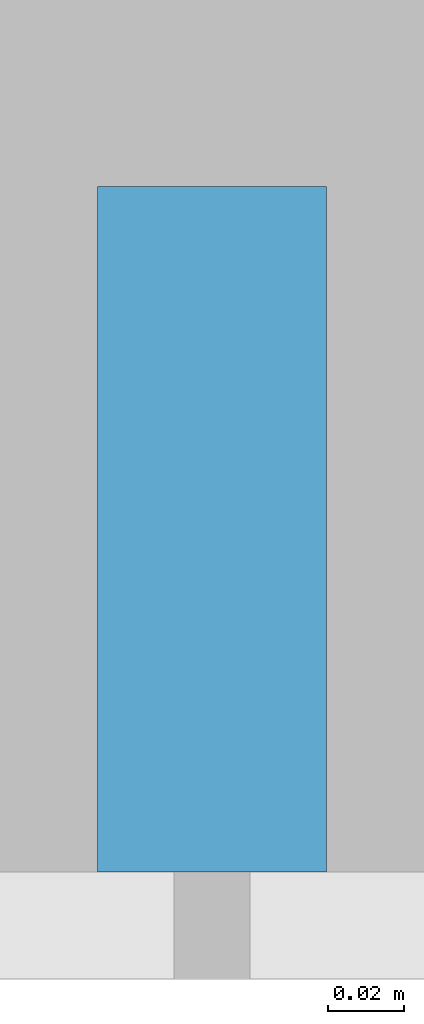
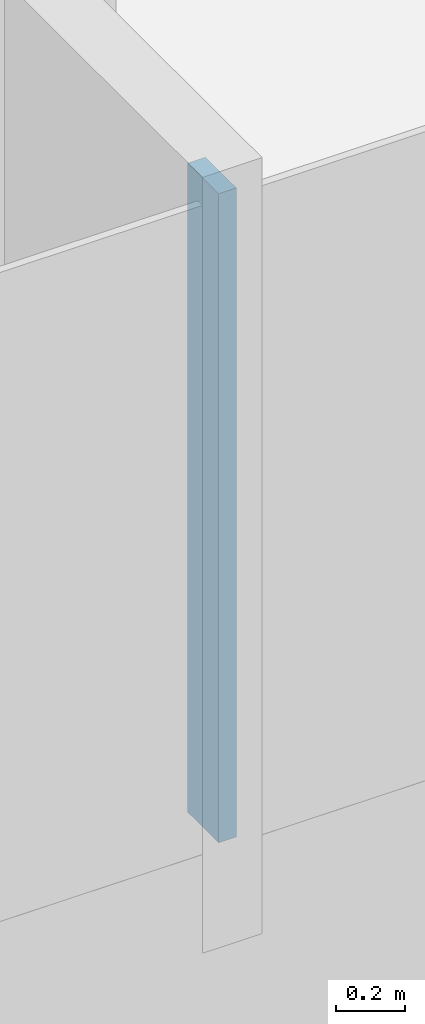
# One storey, part 5 of 26: 1 member, 1 element without a shape of its own.
"""IFC4 building model written with IfcOpenShell, lengths in metres."""

from ifc_helpers import new_model, si_unit, direction, frame, origin, origin_2d, place, context, subcontext, project, spatial, rectangle, extrude, material, layer, layer_set, material_profile, profile_set, type_object, element, aggregate, save


model = new_model("IFC4")

# Units and contexts
model_context = context("Model", 3, precision=1e-05, world=origin(), true_north=direction((0.0, 1.0)))
body_context = subcontext(model_context, "Body", "Model", "MODEL_VIEW")
ifc_project = project(units=[si_unit("LENGTHUNIT", "METRE"), si_unit("AREAUNIT", "SQUARE_METRE"), si_unit("VOLUMEUNIT", "CUBIC_METRE"), si_unit("PLANEANGLEUNIT", "RADIAN"), si_unit("MASSUNIT", "GRAM", prefix="KILO")], contexts=[model_context])

# Site, building, storey
site_placement = place(None, origin())
site = spatial("IfcSite", under=ifc_project, at=site_placement, CompositionType="ELEMENT")
building_placement = place(site_placement, origin())
building = spatial("IfcBuilding", under=site, at=building_placement, Name="Hakoniwa Tower and Hamabe Station Hall", CompositionType="ELEMENT")
storey_placement = place(building_placement, frame((0.0, 0.0, 189.800048828125)))
storey = spatial("IfcBuildingStorey", under=building, at=storey_placement, Name="L53", CompositionType="ELEMENT", Elevation=189.800048828125)

# Curtain wall, member
ifc_material_1 = material(Name="Dark low-e laminated glass", Category="glass")
ifc_layer = layer(ifc_material_1, 0.199951171875)
ifc_layer_set = layer_set([ifc_layer], Name="CW-1 UNITISED GUEST")
curtain_wall_type = type_object("IfcCurtainWallType", Name="CW-1 UNITISED GUEST", PredefinedType="NOTDEFINED", material=ifc_layer_set)
curtain_wall_placement = place(storey_placement, origin())
curtain_wall = element("IfcCurtainWall", 1, at=curtain_wall_placement, inside=storey, type_object=curtain_wall_type, Name="CW-1 curtain wall", PredefinedType="NOTDEFINED")
ifc_material_2 = material(Name="Aluminium 6063-T5 black anodised", Category="aluminium")
ifc_material_profile = material_profile(ifc_material_2, rectangle(XDim=0.06005859375, YDim=0.179931640625, at=origin_2d()), Name="CW-1 MULLION 60X180")
ifc_profile_set = profile_set([ifc_material_profile], Name="Aluminium 6063-T5 black anodised")
member_type = type_object("IfcMemberType", Name="CW-1 MULLION 60X180", PredefinedType="MULLION", material=ifc_profile_set)
member_placement = place(storey_placement, frame((16.800048828125, -15.431884765625, 0.349853515625), z_axis=(0.0, 0.0, 1.0), x_axis=(1.0, 0.0, 0.0)))
member = element("IfcMember", 2, at=member_placement, type_object=member_type, Name="CW-1 mullion", PredefinedType="MULLION", context=body_context, shape_type="SweptSolid", body=[
    extrude(rectangle(XDim=0.06005859375, YDim=0.179931640625, at=origin_2d()), origin(), (0.0, 0.0, 1.0), 2.300048828125),
])
aggregate(curtain_wall, [member])

save(model, "model.ifc")
